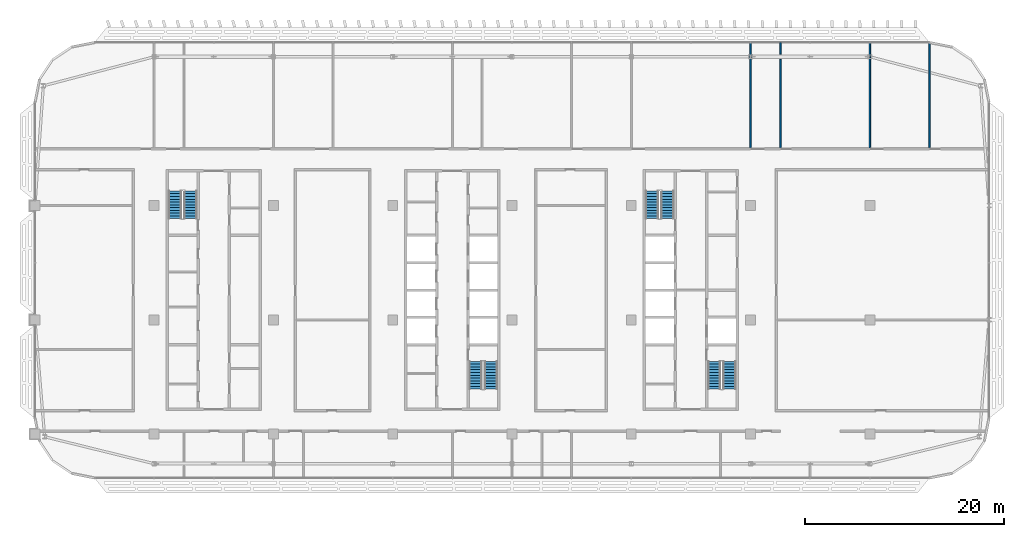
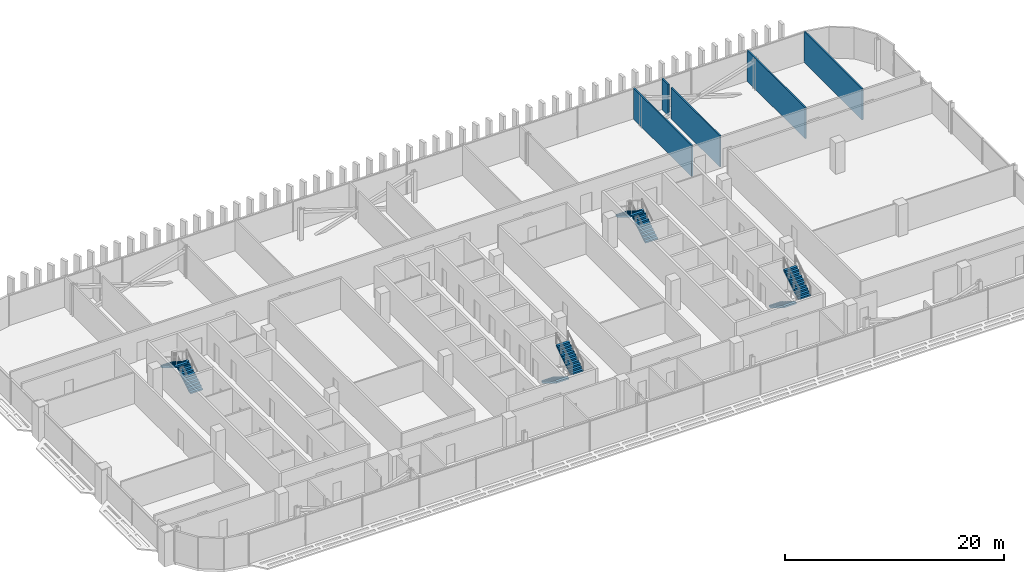
# One storey, part 22 of 32: 8 stair flights, 5 walls, 4 elements without a shape of their own.
"""IFC4 building model written with IfcOpenShell, lengths in metres."""

from ifc_helpers import new_model, si_unit, direction, frame, frame_2d, origin, place, context, subcontext, project, spatial, polyline, rectangle, outline, extrude, material, layer, layer_set, type_object, element, aggregate, save


model = new_model("IFC4")

# Units and contexts
model_context = context("Model", 3, precision=1e-05, world=origin(), true_north=direction((0.0, 1.0)))
body_context = subcontext(model_context, "Body", "Model", "MODEL_VIEW")
ifc_project = project(units=[si_unit("LENGTHUNIT", "METRE"), si_unit("AREAUNIT", "SQUARE_METRE"), si_unit("VOLUMEUNIT", "CUBIC_METRE"), si_unit("PLANEANGLEUNIT", "RADIAN"), si_unit("MASSUNIT", "GRAM", prefix="KILO")], contexts=[model_context])

# Site, building, storey
site_placement = place(None, origin())
site = spatial("IfcSite", under=ifc_project, at=site_placement, CompositionType="ELEMENT")
building_placement = place(site_placement, origin())
building = spatial("IfcBuilding", under=site, at=building_placement, Name="Mahtab Terrace Research Tower", CompositionType="ELEMENT")
storey_placement = place(building_placement, frame((0.0, 0.0, 240.0)))
storey = spatial("IfcBuildingStorey", under=building, at=storey_placement, Name="L58", CompositionType="ELEMENT", Elevation=240.0)

# Walls
ifc_material_1 = material(Name="Gypsum board partition on steel studs", Category="steel")
ifc_layer = layer(ifc_material_1, 0.14990234375)
ifc_layer_set = layer_set([ifc_layer], Name="WALL PARTITION 150")
wall_type = type_object("IfcWallType", Name="WALL PARTITION 150", PredefinedType="PARTITIONING", material=ifc_layer_set)
wall_1_placement = place(storey_placement, frame((30.0, 17.300048828125, 0.0), z_axis=(0.0, 0.0, 1.0), x_axis=(0.0, 1.0, 0.0)))
element("IfcWall", 1, at=wall_1_placement, inside=storey, type_object=wall_type, Name="L58-W051", PredefinedType="PARTITIONING", context=body_context, shape_type="SweptSolid", body=[
    extrude(rectangle(XDim=10.592041015625, YDim=0.14990234375, at=frame_2d((5.2958984375, 0.0))), origin(), (0.0, 0.0, 1.0), 3.4599609375),
])
wall_2_placement = place(storey_placement, frame((33.0, 17.300048828125, 0.0), z_axis=(0.0, 0.0, 1.0), x_axis=(0.0, 1.0, 0.0)))
element("IfcWall", 2, at=wall_2_placement, inside=storey, type_object=wall_type, Name="L58-W053", PredefinedType="PARTITIONING", context=body_context, shape_type="SweptSolid", body=[
    extrude(rectangle(XDim=8.920654296875, YDim=0.14990234375, at=frame_2d((4.46044921875, 0.0))), origin(), (0.0, 0.0, 1.0), 3.4599609375),
])
wall_3_placement = place(storey_placement, frame((33.0, 26.725341796875, 0.0), z_axis=(0.0, 0.0, 1.0), x_axis=(0.0, 1.0, 0.0)))
element("IfcWall", 3, at=wall_3_placement, inside=storey, type_object=wall_type, Name="L58-W054", PredefinedType="PARTITIONING", context=body_context, shape_type="SweptSolid", body=[
    extrude(rectangle(XDim=1.166748046875, YDim=0.14990234375, at=frame_2d((0.58349609375, 0.0))), origin(), (0.0, 0.0, 1.0), 3.4599609375),
])
for number, where, z_axis, x_axis, name in (
    (4, (42.0, 17.300048828125, 0.0), (0.0, 0.0, 1.0), (0.0, 1.0, 0.0), "L58-W056"),
    (5, (48.0, 17.300048828125, 0.0), (0.0, 0.0, 1.0), (0.0, 1.0, 0.0), "L58-W057"),
):
    element("IfcWall", number, at=place(storey_placement, frame(where, z_axis=z_axis, x_axis=x_axis)), inside=storey, type_object=wall_type, Name=name, PredefinedType="PARTITIONING", context=body_context, shape_type="SweptSolid", body=[
        extrude(rectangle(XDim=10.592041015625, YDim=0.14990234375, at=frame_2d((5.2958984375, 0.0))), origin(), (0.0, 0.0, 1.0), 3.4599609375),
    ])

# Stair, stair flights
ifc_material_2 = material(Name="Exit stair half-turn")
stair_type = type_object("IfcStairType", Name="Exit stair half-turn", PredefinedType="HALF_TURN_STAIR", material=ifc_material_2)
stair_1_placement = place(storey_placement, origin())
stair_1 = element("IfcStair", 6, at=stair_1_placement, inside=storey, type_object=stair_type, Name="L58 Protected exit stair ST1", PredefinedType="HALF_TURN_STAIR")
ifc_material_3 = material(Name="Concrete C40/50", Category="concrete")
stair_flight_type = type_object("IfcStairFlightType", Name="Exit stair flight 1300", PredefinedType="STRAIGHT", material=ifc_material_3)
stair_flight_1_placement = place(storey_placement, frame((-26.35009765625, 10.175048828125, 0.0), z_axis=(0.0, 0.0, 1.0), x_axis=(0.0, 1.0, 0.0)))
stair_flight_1 = element("IfcStairFlight", 7, at=stair_flight_1_placement, type_object=stair_flight_type, Name="ST1 flight 1", NumberOfRisers=11, NumberOfTreads=10, PredefinedType="STRAIGHT", RiserHeight=0.172727273, TreadLength=0.28, context=body_context, shape_type="SweptSolid", body=[
    extrude(outline(polyline([(0.0, 0.0), (0.0, 0.172607421875), (0.280029296875, 0.172607421875), (0.280029296875, 0.345458984375), (0.56005859375, 0.345458984375), (0.56005859375, 0.51806640625), (0.840087890625, 0.51806640625), (0.840087890625, 0.69091796875), (1.1201171875, 0.69091796875), (1.1201171875, 0.863525390625), (1.39990234375, 0.863525390625), (1.39990234375, 1.036376953125), (1.679931640625, 1.036376953125), (1.679931640625, 1.208984375), (1.9599609375, 1.208984375), (1.9599609375, 1.3818359375), (2.239990234375, 1.3818359375), (2.239990234375, 1.554443359375), (2.52001953125, 1.554443359375), (2.52001953125, 1.727294921875), (2.800048828125, 1.727294921875), (2.800048828125, 1.89990234375), (2.800048828125, 1.551025390625), (0.285400390625, 0.0), (0.0, 0.0)])), frame((0.0, 0.64990234375, 0.0), z_axis=(0.0, -1.0, 0.0), x_axis=(1.0, 0.0, 0.0)), (0.0, 0.0, 1.0), 1.300048828125),
])
stair_flight_2_placement = place(storey_placement, frame((-27.89990234375, 12.97509765625, 1.89990234375), z_axis=(0.0, 0.0, 1.0), x_axis=(0.0, -1.0, 0.0)))
stair_flight_2 = element("IfcStairFlight", 8, at=stair_flight_2_placement, type_object=stair_flight_type, Name="ST1 flight 2", NumberOfRisers=11, NumberOfTreads=10, PredefinedType="STRAIGHT", RiserHeight=0.172727273, TreadLength=0.28, context=body_context, shape_type="SweptSolid", body=[
    extrude(outline(polyline([(0.0, 0.0), (0.0, 0.172607421875), (0.280029296875, 0.172607421875), (0.280029296875, 0.345458984375), (0.56005859375, 0.345458984375), (0.56005859375, 0.51806640625), (0.840087890625, 0.51806640625), (0.840087890625, 0.69091796875), (1.1201171875, 0.69091796875), (1.1201171875, 0.863525390625), (1.39990234375, 0.863525390625), (1.39990234375, 1.036376953125), (1.679931640625, 1.036376953125), (1.679931640625, 1.208984375), (1.9599609375, 1.208984375), (1.9599609375, 1.3818359375), (2.239990234375, 1.3818359375), (2.239990234375, 1.554443359375), (2.52001953125, 1.554443359375), (2.52001953125, 1.727294921875), (2.800048828125, 1.727294921875), (2.800048828125, 1.89990234375), (2.800048828125, 1.551025390625), (0.285400390625, 0.0), (0.0, 0.0)])), frame((0.0, 0.64990234375, 0.0), z_axis=(0.0, -1.0, 0.0), x_axis=(1.0, 0.0, 0.0)), (0.0, 0.0, 1.0), 1.300048828125),
])
aggregate(stair_1, [stair_flight_1, stair_flight_2])

stair_2_placement = place(storey_placement, origin())
stair_2 = element("IfcStair", 9, at=stair_2_placement, inside=storey, type_object=stair_type, Name="L58 Protected exit stair ST2", PredefinedType="HALF_TURN_STAIR")
stair_flight_3_placement = place(storey_placement, frame((2.35009765625, -4.175048828125, 0.0), z_axis=(0.0, 0.0, 1.0), x_axis=(0.0, -1.0, 0.0)))
stair_flight_3 = element("IfcStairFlight", 10, at=stair_flight_3_placement, type_object=stair_flight_type, Name="ST2 flight 1", NumberOfRisers=11, NumberOfTreads=10, PredefinedType="STRAIGHT", RiserHeight=0.172727273, TreadLength=0.28, context=body_context, shape_type="SweptSolid", body=[
    extrude(outline(polyline([(0.0, 0.0), (0.0, 0.172607421875), (0.280029296875, 0.172607421875), (0.280029296875, 0.345458984375), (0.56005859375, 0.345458984375), (0.56005859375, 0.51806640625), (0.840087890625, 0.51806640625), (0.840087890625, 0.69091796875), (1.1201171875, 0.69091796875), (1.1201171875, 0.863525390625), (1.39990234375, 0.863525390625), (1.39990234375, 1.036376953125), (1.679931640625, 1.036376953125), (1.679931640625, 1.208984375), (1.9599609375, 1.208984375), (1.9599609375, 1.3818359375), (2.239990234375, 1.3818359375), (2.239990234375, 1.554443359375), (2.52001953125, 1.554443359375), (2.52001953125, 1.727294921875), (2.800048828125, 1.727294921875), (2.800048828125, 1.89990234375), (2.800048828125, 1.551025390625), (0.285400390625, 0.0), (0.0, 0.0)])), frame((0.0, 0.64990234375, 0.0), z_axis=(0.0, -1.0, 0.0), x_axis=(1.0, 0.0, 0.0)), (0.0, 0.0, 1.0), 1.300048828125),
])
stair_flight_4_placement = place(storey_placement, frame((3.89990234375, -6.97509765625, 1.89990234375), z_axis=(0.0, 0.0, 1.0), x_axis=(0.0, 1.0, 0.0)))
stair_flight_4 = element("IfcStairFlight", 11, at=stair_flight_4_placement, type_object=stair_flight_type, Name="ST2 flight 2", NumberOfRisers=11, NumberOfTreads=10, PredefinedType="STRAIGHT", RiserHeight=0.172727273, TreadLength=0.28, context=body_context, shape_type="SweptSolid", body=[
    extrude(outline(polyline([(0.0, 0.0), (0.0, 0.172607421875), (0.280029296875, 0.172607421875), (0.280029296875, 0.345458984375), (0.56005859375, 0.345458984375), (0.56005859375, 0.51806640625), (0.840087890625, 0.51806640625), (0.840087890625, 0.69091796875), (1.1201171875, 0.69091796875), (1.1201171875, 0.863525390625), (1.39990234375, 0.863525390625), (1.39990234375, 1.036376953125), (1.679931640625, 1.036376953125), (1.679931640625, 1.208984375), (1.9599609375, 1.208984375), (1.9599609375, 1.3818359375), (2.239990234375, 1.3818359375), (2.239990234375, 1.554443359375), (2.52001953125, 1.554443359375), (2.52001953125, 1.727294921875), (2.800048828125, 1.727294921875), (2.800048828125, 1.89990234375), (2.800048828125, 1.551025390625), (0.285400390625, 0.0), (0.0, 0.0)])), frame((0.0, 0.64990234375, 0.0), z_axis=(0.0, -1.0, 0.0), x_axis=(1.0, 0.0, 0.0)), (0.0, 0.0, 1.0), 1.300048828125),
])
aggregate(stair_2, [stair_flight_3, stair_flight_4])

stair_3_placement = place(storey_placement, origin())
stair_3 = element("IfcStair", 12, at=stair_3_placement, inside=storey, type_object=stair_type, Name="L58 Protected exit stair ST3", PredefinedType="HALF_TURN_STAIR")
stair_flight_5_placement = place(storey_placement, frame((21.64990234375, 10.175048828125, 0.0), z_axis=(0.0, 0.0, 1.0), x_axis=(0.0, 1.0, 0.0)))
stair_flight_5 = element("IfcStairFlight", 13, at=stair_flight_5_placement, type_object=stair_flight_type, Name="ST3 flight 1", NumberOfRisers=11, NumberOfTreads=10, PredefinedType="STRAIGHT", RiserHeight=0.172727273, TreadLength=0.28, context=body_context, shape_type="SweptSolid", body=[
    extrude(outline(polyline([(0.0, 0.0), (0.0, 0.172607421875), (0.280029296875, 0.172607421875), (0.280029296875, 0.345458984375), (0.56005859375, 0.345458984375), (0.56005859375, 0.51806640625), (0.840087890625, 0.51806640625), (0.840087890625, 0.69091796875), (1.1201171875, 0.69091796875), (1.1201171875, 0.863525390625), (1.39990234375, 0.863525390625), (1.39990234375, 1.036376953125), (1.679931640625, 1.036376953125), (1.679931640625, 1.208984375), (1.9599609375, 1.208984375), (1.9599609375, 1.3818359375), (2.239990234375, 1.3818359375), (2.239990234375, 1.554443359375), (2.52001953125, 1.554443359375), (2.52001953125, 1.727294921875), (2.800048828125, 1.727294921875), (2.800048828125, 1.89990234375), (2.800048828125, 1.551025390625), (0.285400390625, 0.0), (0.0, 0.0)])), frame((0.0, 0.64990234375, 0.0), z_axis=(0.0, -1.0, 0.0), x_axis=(1.0, 0.0, 0.0)), (0.0, 0.0, 1.0), 1.300048828125),
])
stair_flight_6_placement = place(storey_placement, frame((20.10009765625, 12.97509765625, 1.89990234375), z_axis=(0.0, 0.0, 1.0), x_axis=(0.0, -1.0, 0.0)))
stair_flight_6 = element("IfcStairFlight", 14, at=stair_flight_6_placement, type_object=stair_flight_type, Name="ST3 flight 2", NumberOfRisers=11, NumberOfTreads=10, PredefinedType="STRAIGHT", RiserHeight=0.172727273, TreadLength=0.28, context=body_context, shape_type="SweptSolid", body=[
    extrude(outline(polyline([(0.0, 0.0), (0.0, 0.172607421875), (0.280029296875, 0.172607421875), (0.280029296875, 0.345458984375), (0.56005859375, 0.345458984375), (0.56005859375, 0.51806640625), (0.840087890625, 0.51806640625), (0.840087890625, 0.69091796875), (1.1201171875, 0.69091796875), (1.1201171875, 0.863525390625), (1.39990234375, 0.863525390625), (1.39990234375, 1.036376953125), (1.679931640625, 1.036376953125), (1.679931640625, 1.208984375), (1.9599609375, 1.208984375), (1.9599609375, 1.3818359375), (2.239990234375, 1.3818359375), (2.239990234375, 1.554443359375), (2.52001953125, 1.554443359375), (2.52001953125, 1.727294921875), (2.800048828125, 1.727294921875), (2.800048828125, 1.89990234375), (2.800048828125, 1.551025390625), (0.285400390625, 0.0), (0.0, 0.0)])), frame((0.0, 0.64990234375, 0.0), z_axis=(0.0, -1.0, 0.0), x_axis=(1.0, 0.0, 0.0)), (0.0, 0.0, 1.0), 1.300048828125),
])
aggregate(stair_3, [stair_flight_5, stair_flight_6])

stair_4_placement = place(storey_placement, origin())
stair_4 = element("IfcStair", 15, at=stair_4_placement, inside=storey, type_object=stair_type, Name="L58 Protected exit stair ST4", PredefinedType="HALF_TURN_STAIR")
stair_flight_7_placement = place(storey_placement, frame((26.35009765625, -4.175048828125, 0.0), z_axis=(0.0, 0.0, 1.0), x_axis=(0.0, -1.0, 0.0)))
stair_flight_7 = element("IfcStairFlight", 16, at=stair_flight_7_placement, type_object=stair_flight_type, Name="ST4 flight 1", NumberOfRisers=11, NumberOfTreads=10, PredefinedType="STRAIGHT", RiserHeight=0.172727273, TreadLength=0.28, context=body_context, shape_type="SweptSolid", body=[
    extrude(outline(polyline([(0.0, 0.0), (0.0, 0.172607421875), (0.280029296875, 0.172607421875), (0.280029296875, 0.345458984375), (0.56005859375, 0.345458984375), (0.56005859375, 0.51806640625), (0.840087890625, 0.51806640625), (0.840087890625, 0.69091796875), (1.1201171875, 0.69091796875), (1.1201171875, 0.863525390625), (1.39990234375, 0.863525390625), (1.39990234375, 1.036376953125), (1.679931640625, 1.036376953125), (1.679931640625, 1.208984375), (1.9599609375, 1.208984375), (1.9599609375, 1.3818359375), (2.239990234375, 1.3818359375), (2.239990234375, 1.554443359375), (2.52001953125, 1.554443359375), (2.52001953125, 1.727294921875), (2.800048828125, 1.727294921875), (2.800048828125, 1.89990234375), (2.800048828125, 1.551025390625), (0.285400390625, 0.0), (0.0, 0.0)])), frame((0.0, 0.64990234375, 0.0), z_axis=(0.0, -1.0, 0.0), x_axis=(1.0, 0.0, 0.0)), (0.0, 0.0, 1.0), 1.300048828125),
])
stair_flight_8_placement = place(storey_placement, frame((27.89990234375, -6.97509765625, 1.89990234375), z_axis=(0.0, 0.0, 1.0), x_axis=(0.0, 1.0, 0.0)))
stair_flight_8 = element("IfcStairFlight", 17, at=stair_flight_8_placement, type_object=stair_flight_type, Name="ST4 flight 2", NumberOfRisers=11, NumberOfTreads=10, PredefinedType="STRAIGHT", RiserHeight=0.172727273, TreadLength=0.28, context=body_context, shape_type="SweptSolid", body=[
    extrude(outline(polyline([(0.0, 0.0), (0.0, 0.172607421875), (0.280029296875, 0.172607421875), (0.280029296875, 0.345458984375), (0.56005859375, 0.345458984375), (0.56005859375, 0.51806640625), (0.840087890625, 0.51806640625), (0.840087890625, 0.69091796875), (1.1201171875, 0.69091796875), (1.1201171875, 0.863525390625), (1.39990234375, 0.863525390625), (1.39990234375, 1.036376953125), (1.679931640625, 1.036376953125), (1.679931640625, 1.208984375), (1.9599609375, 1.208984375), (1.9599609375, 1.3818359375), (2.239990234375, 1.3818359375), (2.239990234375, 1.554443359375), (2.52001953125, 1.554443359375), (2.52001953125, 1.727294921875), (2.800048828125, 1.727294921875), (2.800048828125, 1.89990234375), (2.800048828125, 1.551025390625), (0.285400390625, 0.0), (0.0, 0.0)])), frame((0.0, 0.64990234375, 0.0), z_axis=(0.0, -1.0, 0.0), x_axis=(1.0, 0.0, 0.0)), (0.0, 0.0, 1.0), 1.300048828125),
])
aggregate(stair_4, [stair_flight_7, stair_flight_8])

save(model, "model.ifc")
